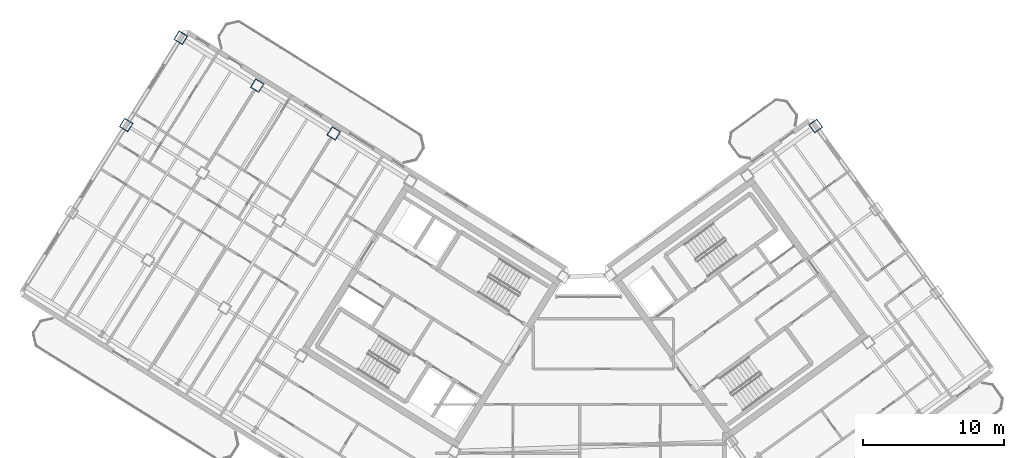
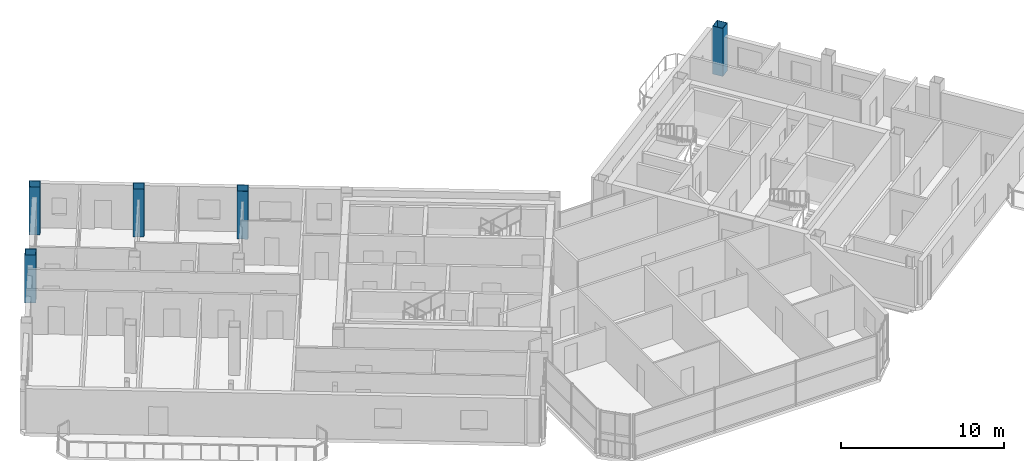
# One storey, part 3 of 25: 5 columns.
"""IFC4 building model written with IfcOpenShell, lengths in metres."""

from ifc_helpers import new_model, si_unit, direction, frame, origin, origin_2d, place, context, subcontext, project, spatial, hollow_rectangle, extrude, source, transform, mapped, material, material_profile, profile_set, type_object, element, save


model = new_model("IFC4")

# Units and contexts
model_context = context("Model", 3, precision=1e-05, world=origin(), true_north=direction((0.0, 1.0)))
body_context = subcontext(model_context, "Body", "Model", "MODEL_VIEW")
ifc_project = project(units=[si_unit("LENGTHUNIT", "METRE"), si_unit("AREAUNIT", "SQUARE_METRE"), si_unit("VOLUMEUNIT", "CUBIC_METRE"), si_unit("PLANEANGLEUNIT", "RADIAN"), si_unit("MASSUNIT", "GRAM", prefix="KILO")], contexts=[model_context])

# Site, building, storey
site_placement = place(None, origin())
site = spatial("IfcSite", under=ifc_project, at=site_placement, CompositionType="ELEMENT")
building_placement = place(site_placement, origin())
building = spatial("IfcBuilding", under=site, at=building_placement, Name="Tlacorven Tower", CompositionType="ELEMENT")
storey_placement = place(building_placement, frame((0.0, 0.0, 251.10009765625)))
storey = spatial("IfcBuildingStorey", under=building, at=storey_placement, Name="L63", CompositionType="ELEMENT", Elevation=251.10009765625)

# Columns
ifc_material = material(Name="Steel S460M", Category="steel")
ifc_material_profile = material_profile(ifc_material, hollow_rectangle(XDim=0.699951171875, YDim=0.699951171875, WallThickness=0.028076171875, at=origin_2d()), Name="BOX 700X700X28")
ifc_profile_set = profile_set([ifc_material_profile], Name="Steel S460M")
column_type = type_object("IfcColumnType", Name="COL-TWR-S4", PredefinedType="COLUMN", material=ifc_profile_set)
shared_shape = source(origin(), body_context, "Body", "SweptSolid", [
    extrude(hollow_rectangle(XDim=0.699951171875, YDim=0.699951171875, WallThickness=0.028076171875, at=origin_2d()), origin(), (0.0, 0.0, 1.0), 3.599853515625),
])
for number, where, z_axis, x_axis, name in (
    (1, (24.50048828125, 34.642822265625, 0.0), (0.0, 0.0, 1.0), (-0.848048096156, 0.529919264233, 0.0), "L63 column COL-L63-W4-1"),
    (2, (19.072998046875, 38.034423828125, 0.0), (0.0, 0.0, 1.0), (-0.848048096156, 0.529919264233, 0.0), "L63 column COL-L63-W5-1"),
    (3, (13.6455078125, 41.42578125, 0.0), (0.0, 0.0, 1.0), (-0.848048096156, 0.529919264233, 0.0), "L63 column COL-L63-W6-1"),
    (4, (9.777099609375, 35.235107421875, 0.0), (0.0, 0.0, 1.0), (-0.848048096156, 0.529919264233, 0.0), "L63 column COL-L63-W6-2"),
    (5, (58.68603515625, 35.165283203125, 0.0), (0.0, 0.0, 1.0), (0.809016994375, 0.587785252292, 0.0), "L63 column COL-L63-E4-4"),
):
    element("IfcColumn", number, at=place(storey_placement, frame(where, z_axis=z_axis, x_axis=x_axis)), inside=storey, type_object=column_type, Name=name, PredefinedType="COLUMN", context=body_context, shape_type="MappedRepresentation", body=[
        mapped(shared_shape, transform((0.0, 0.0, 0.0), scale=1.0)),
    ])

save(model, "model.ifc")
